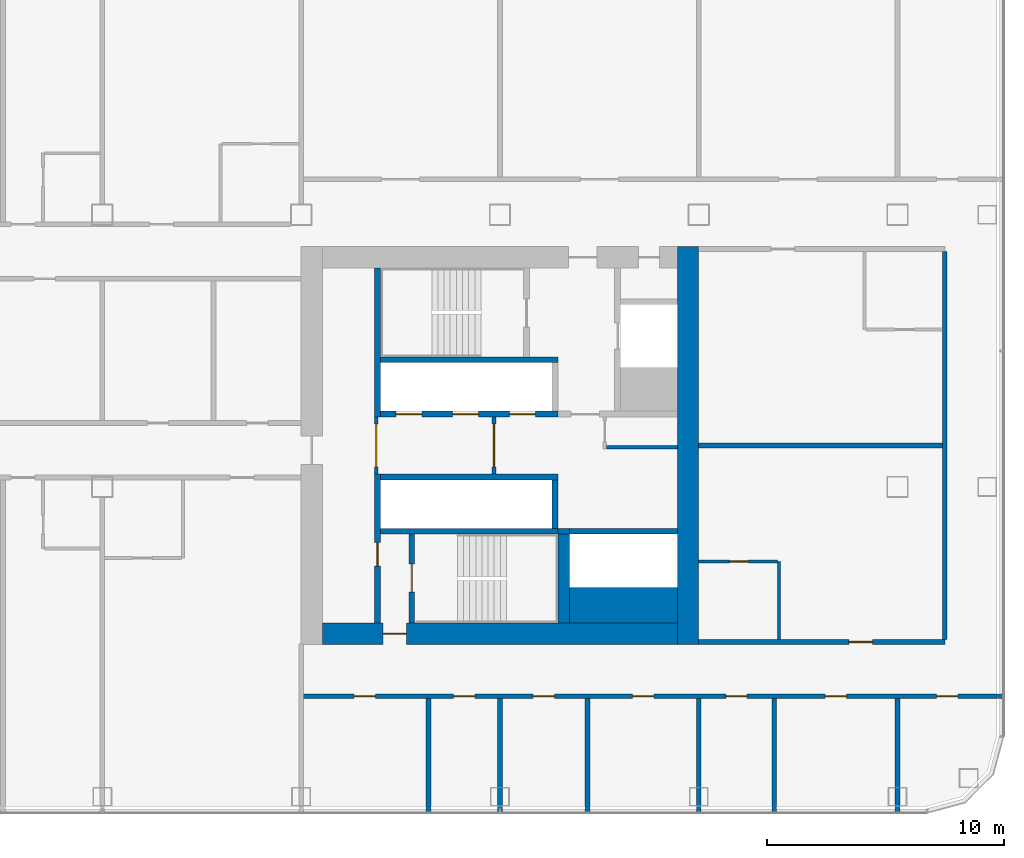
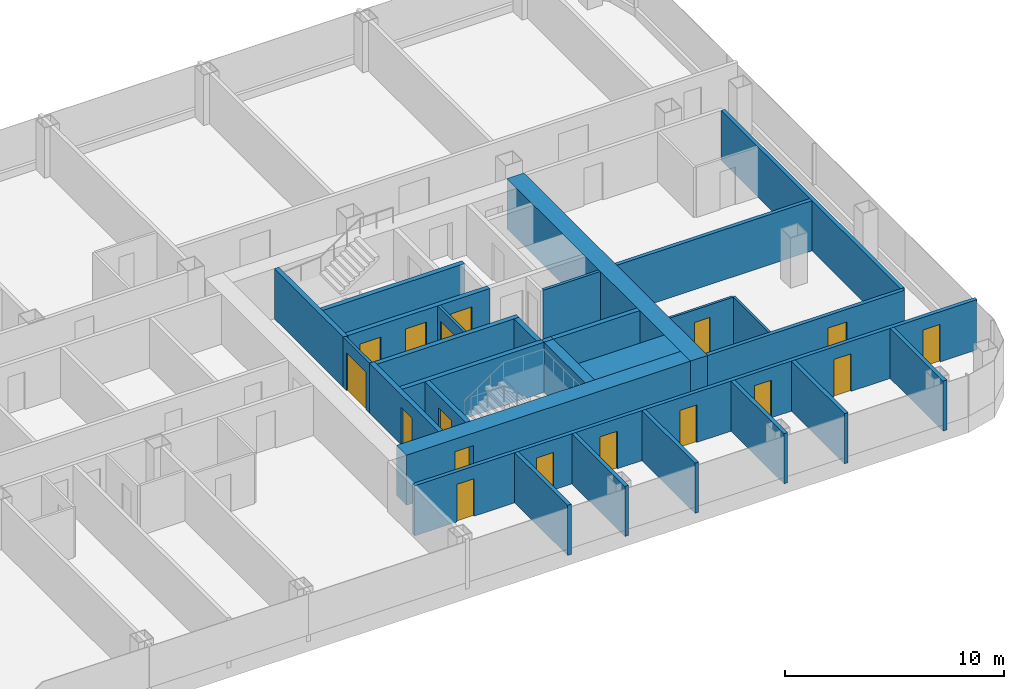
# One storey, part 19 of 29: 29 walls, 17 doors, 17 openings.
"""IFC4 building model written with IfcOpenShell, lengths in metres."""

from ifc_helpers import new_model, si_unit, direction, frame, frame_2d, origin, place, context, subcontext, project, spatial, rectangle, extrude, material, layer, layer_set, type_object, element, fill, save


model = new_model("IFC4")

# Units and contexts
model_context = context("Model", 3, precision=1e-05, world=origin(), true_north=direction((0.0, 1.0)))
body_context = subcontext(model_context, "Body", "Model", "MODEL_VIEW")
ifc_project = project(units=[si_unit("LENGTHUNIT", "METRE"), si_unit("AREAUNIT", "SQUARE_METRE"), si_unit("VOLUMEUNIT", "CUBIC_METRE"), si_unit("PLANEANGLEUNIT", "RADIAN"), si_unit("MASSUNIT", "GRAM", prefix="KILO")], contexts=[model_context])

# Site, building, storey
site_placement = place(None, origin())
site = spatial("IfcSite", under=ifc_project, at=site_placement, CompositionType="ELEMENT")
building_placement = place(site_placement, origin())
building = spatial("IfcBuilding", under=site, at=building_placement, Name="Hakoniwa Tower and Hamabe Station Hall", CompositionType="ELEMENT")
storey_placement = place(building_placement, frame((0.0, 0.0, 101.0)))
storey = spatial("IfcBuildingStorey", under=building, at=storey_placement, Name="L28", CompositionType="ELEMENT", Elevation=101.0)

# Wall, opening, door
ifc_material_1 = material(Name="Gypsum board partition", Category="gypsum")
ifc_layer_1 = layer(ifc_material_1, 0.125)
ifc_layer_set_1 = layer_set([ifc_layer_1], Name="Bathroom Partition 125")
wall_type_1 = type_object("IfcWallType", Name="Bathroom Partition 125", PredefinedType="PARTITIONING", material=ifc_layer_set_1)
wall_1_placement = place(storey_placement, frame((33.60009765625, -4.89990234375, 0.0), z_axis=(0.0, 0.0, 1.0), x_axis=(1.0, 0.0, 0.0)))
wall_1 = element("IfcWall", 1, at=wall_1_placement, inside=storey, type_object=wall_type_1, Name="GW-L28-006", PredefinedType="PARTITIONING", context=body_context, shape_type="SweptSolid", body=[
    extrude(rectangle(XDim=3.33740234375, YDim=0.125, at=frame_2d((1.668701171875, 0.0))), origin(), (0.0, 0.0, 1.0), 2.800048828125),
])
opening_1_placement = place(wall_1_placement, frame((1.300048828125, 0.0, 0.0)))
opening_1 = element("IfcOpeningElement", 2, at=opening_1_placement, cuts=wall_1, Name="Opening GD-G2D1-17", PredefinedType="OPENING", context=body_context, shape_type="SweptSolid", body=[
    extrude(rectangle(XDim=0.800048828125, YDim=2.10009765625, at=frame_2d((0.39990234375, 1.050048828125))), frame((0.0, 0.072509765625, 0.0), z_axis=(0.0, -1.0, 0.0), x_axis=(1.0, 0.0, 0.0)), (0.0, 0.0, 1.0), 0.14501953125),
])
ifc_material_2 = material(Name="Timber door leaf", Category="wood")
door_type_1 = type_object("IfcDoorType", Name="Bathroom Door 800", OperationType="SINGLE_SWING_LEFT", PredefinedType="DOOR", material=ifc_material_2)
door_1_placement = place(opening_1_placement, origin())
door_1 = element("IfcDoor", 3, at=door_1_placement, inside=storey, type_object=door_type_1, Name="Door GD-G2D1-17", OperationType="SINGLE_SWING_RIGHT", OverallHeight=2.10009765625, OverallWidth=0.800048828125, PredefinedType="DOOR", context=body_context, shape_type="SweptSolid", body=[
    extrude(rectangle(XDim=0.800048828125, YDim=2.10009765625, at=frame_2d((0.39990234375, 1.050048828125))), frame((0.0, 0.02490234375, 0.0), z_axis=(0.0, -1.0, 0.0), x_axis=(1.0, 0.0, 0.0)), (0.0, 0.0, 1.0), 0.050048828125),
])
fill(opening_1, door_1)

# Wall
wall_2_placement = place(storey_placement, frame((37.0, -8.199951171875, 0.0), z_axis=(0.0, 0.0, 1.0), x_axis=(0.0, 1.0, 0.0)))
element("IfcWall", 4, at=wall_2_placement, inside=storey, type_object=wall_type_1, Name="GW-L28-083", PredefinedType="PARTITIONING", context=body_context, shape_type="SweptSolid", body=[
    extrude(rectangle(XDim=3.300048828125, YDim=0.125, at=frame_2d((1.64990234375, 0.0))), origin(), (0.0, 0.0, 1.0), 2.800048828125),
])

# Wall, opening, door
ifc_material_3 = material(Name="Gypsum board partition")
ifc_layer_2 = layer(ifc_material_3, 0.14990234375)
ifc_layer_set_2 = layer_set([ifc_layer_2], Name="CORE PARTITION 150 EI 60")
wall_type_2 = type_object("IfcWallType", Name="CORE PARTITION 150 EI 60", PredefinedType="PARTITIONING", material=ifc_layer_set_2)
wall_3_placement = place(storey_placement, frame((19.97509765625, -1.199951171875, 0.0), z_axis=(0.0, 0.0, 1.0), x_axis=(0.0, 1.0, 0.0)))
wall_3 = element("IfcWall", 5, at=wall_3_placement, inside=storey, type_object=wall_type_2, Name="Core partition PL0 east", PredefinedType="PARTITIONING", context=body_context, shape_type="SweptSolid", body=[
    extrude(rectangle(XDim=2.39990234375, YDim=0.14990234375, at=frame_2d((1.199951171875, 0.0))), origin(), (0.0, 0.0, 1.0), 2.800048828125),
])
opening_2_placement = place(wall_3_placement, frame((0.300048828125, 0.0, 0.0)))
opening_2 = element("IfcOpeningElement", 6, at=opening_2_placement, cuts=wall_3, Name="Opening CD-E-LP0-18", PredefinedType="OPENING", context=body_context, shape_type="SweptSolid", body=[
    extrude(rectangle(XDim=1.800048828125, YDim=2.10009765625, at=frame_2d((0.89990234375, 1.050048828125))), frame((0.0, 0.0849609375, 0.0), z_axis=(0.0, -1.0, 0.0), x_axis=(1.0, 0.0, 0.0)), (0.0, 0.0, 1.0), 0.169921875),
])
ifc_material_4 = material(Name="Steel fire door", Category="steel")
door_type_2 = type_object("IfcDoorType", Name="CORE DOOR 1800 FD60", OperationType="DOUBLE_DOOR_SINGLE_SWING", PredefinedType="DOOR", material=ifc_material_4)
door_2_placement = place(opening_2_placement, origin())
door_2 = element("IfcDoor", 7, at=door_2_placement, inside=storey, type_object=door_type_2, Name="Lift lobby partition door", OperationType="DOUBLE_DOOR_SINGLE_SWING", OverallHeight=2.10009765625, OverallWidth=1.800048828125, PredefinedType="DOOR", context=body_context, shape_type="SweptSolid", body=[
    extrude(rectangle(XDim=1.800048828125, YDim=2.10009765625, at=frame_2d((0.89990234375, 1.050048828125))), frame((0.0, 0.02490234375, 0.0), z_axis=(0.0, -1.0, 0.0), x_axis=(1.0, 0.0, 0.0)), (0.0, 0.0, 1.0), 0.050048828125),
])
fill(opening_2, door_2)

wall_4_placement = place(storey_placement, frame((24.949951171875, -1.199951171875, 0.0), z_axis=(0.0, 0.0, 1.0), x_axis=(0.0, 1.0, 0.0)))
wall_4 = element("IfcWall", 8, at=wall_4_placement, inside=storey, type_object=wall_type_2, Name="Core partition PL1 east", PredefinedType="PARTITIONING", context=body_context, shape_type="SweptSolid", body=[
    extrude(rectangle(XDim=2.39990234375, YDim=0.14990234375, at=frame_2d((1.199951171875, 0.0))), origin(), (0.0, 0.0, 1.0), 2.800048828125),
])
opening_3_placement = place(wall_4_placement, frame((0.300048828125, 0.0, 0.0)))
opening_3 = element("IfcOpeningElement", 9, at=opening_3_placement, cuts=wall_4, Name="Opening CD-E-LP1-18", PredefinedType="OPENING", context=body_context, shape_type="SweptSolid", body=[
    extrude(rectangle(XDim=1.800048828125, YDim=2.10009765625, at=frame_2d((0.89990234375, 1.050048828125))), frame((0.0, 0.0849609375, 0.0), z_axis=(0.0, -1.0, 0.0), x_axis=(1.0, 0.0, 0.0)), (0.0, 0.0, 1.0), 0.169921875),
])
door_3_placement = place(opening_3_placement, origin())
door_3 = element("IfcDoor", 10, at=door_3_placement, inside=storey, type_object=door_type_2, Name="Lift lobby partition door", OperationType="DOUBLE_DOOR_SINGLE_SWING", OverallHeight=2.10009765625, OverallWidth=1.800048828125, PredefinedType="DOOR", context=body_context, shape_type="SweptSolid", body=[
    extrude(rectangle(XDim=1.800048828125, YDim=2.10009765625, at=frame_2d((0.89990234375, 1.050048828125))), frame((0.0, 0.02490234375, 0.0), z_axis=(0.0, -1.0, 0.0), x_axis=(1.0, 0.0, 0.0)), (0.0, 0.0, 1.0), 0.050048828125),
])
fill(opening_3, door_3)

# Walls
wall_5_placement = place(storey_placement, frame((29.699951171875, -0.074951171875, 0.0), z_axis=(0.0, 0.0, 1.0), x_axis=(1.0, 0.0, 0.0)))
element("IfcWall", 11, at=wall_5_placement, inside=storey, type_object=wall_type_2, Name="Core partition PS east", PredefinedType="PARTITIONING", context=body_context, shape_type="SweptSolid", body=[
    extrude(rectangle(XDim=3.0, YDim=0.14990234375, at=frame_2d((1.5, 0.0))), origin(), (0.0, 0.0, 1.0), 2.800048828125),
])
ifc_material_5 = material(Name="Concrete C72", Category="concrete")
ifc_layer_3 = layer(ifc_material_5, 0.89990234375)
ifc_layer_set_3 = layer_set([ifc_layer_3], Name="CORE WALL 900 C72")
wall_type_3 = type_object("IfcWallType", Name="CORE WALL 900 C72", PredefinedType="SHEAR", material=ifc_layer_set_3)
wall_6_placement = place(storey_placement, frame((33.14990234375, -8.39990234375, 0.0), z_axis=(0.0, 0.0, 1.0), x_axis=(0.0, 1.0, 0.0)))
element("IfcWall", 12, at=wall_6_placement, inside=storey, type_object=wall_type_3, Name="Core wall OUTER east", PredefinedType="SHEAR", context=body_context, shape_type="SweptSolid", body=[
    extrude(rectangle(XDim=16.7998046875, YDim=0.89990234375, at=frame_2d((8.39990234375, 0.0))), origin(), (0.0, 0.0, 1.0), 2.800048828125),
])

# Wall, opening, door
wall_7_placement = place(storey_placement, frame((17.699951171875, -7.949951171875, 0.0), z_axis=(0.0, 0.0, 1.0), x_axis=(1.0, 0.0, 0.0)))
wall_7 = element("IfcWall", 13, at=wall_7_placement, inside=storey, type_object=wall_type_3, Name="Core wall SOUTH east", PredefinedType="SHEAR", context=body_context, shape_type="SweptSolid", body=[
    extrude(rectangle(XDim=15.0, YDim=0.89990234375, at=frame_2d((7.5, 0.0))), origin(), (0.0, 0.0, 1.0), 2.800048828125),
])
opening_4_placement = place(wall_7_placement, frame((2.550048828125, 0.0, 0.0)))
opening_4 = element("IfcOpeningElement", 14, at=opening_4_placement, cuts=wall_7, Name="Opening CD-E-FS3-10", PredefinedType="OPENING", context=body_context, shape_type="SweptSolid", body=[
    extrude(rectangle(XDim=1.0, YDim=2.10009765625, at=frame_2d((0.5, 1.050048828125))), frame((0.0, 0.4599609375, 0.0), z_axis=(0.0, -1.0, 0.0), x_axis=(1.0, 0.0, 0.0)), (0.0, 0.0, 1.0), 0.919921875),
])
ifc_material_6 = material(Name="Steel fire door", Category="steel")
door_type_3 = type_object("IfcDoorType", Name="CORE DOOR 1000 FD60", OperationType="NOTDEFINED", PredefinedType="DOOR", material=ifc_material_6)
door_4_placement = place(opening_4_placement, origin())
door_4 = element("IfcDoor", 15, at=door_4_placement, inside=storey, type_object=door_type_3, Name="Stair vestibule door", OperationType="SINGLE_SWING_LEFT", OverallHeight=2.10009765625, OverallWidth=1.0, PredefinedType="DOOR", context=body_context, shape_type="SweptSolid", body=[
    extrude(rectangle(XDim=1.0, YDim=2.10009765625, at=frame_2d((0.5, 1.050048828125))), frame((0.0, 0.02490234375, 0.0), z_axis=(0.0, -1.0, 0.0), x_axis=(1.0, 0.0, 0.0)), (0.0, 0.0, 1.0), 0.050048828125),
])
fill(opening_4, door_4)

# Walls
ifc_material_7 = material(Name="Concrete C72", Category="concrete")
ifc_layer_4 = layer(ifc_material_7, 1.5)
ifc_layer_set_4 = layer_set([ifc_layer_4], Name="CORE WEB WALL 1500 C72")
wall_type_4 = type_object("IfcWallType", Name="CORE WEB WALL 1500 C72", PredefinedType="SHEAR", material=ifc_layer_set_4)
wall_8_placement = place(storey_placement, frame((28.14990234375, -6.75, 0.0), z_axis=(0.0, 0.0, 1.0), x_axis=(1.0, 0.0, 0.0)))
element("IfcWall", 16, at=wall_8_placement, inside=storey, type_object=wall_type_4, Name="Core wall SER east", PredefinedType="SHEAR", context=body_context, shape_type="SweptSolid", body=[
    extrude(rectangle(XDim=4.550048828125, YDim=1.5, at=frame_2d((2.27490234375, 0.0))), origin(), (0.0, 0.0, 1.0), 2.800048828125),
])
ifc_material_8 = material(Name="Concrete C72", Category="concrete")
ifc_layer_5 = layer(ifc_material_8, 0.25)
ifc_layer_set_5 = layer_set([ifc_layer_5], Name="CORE WEB WALL 250 C72")
wall_type_5 = type_object("IfcWallType", Name="CORE WEB WALL 250 C72", PredefinedType="SHEAR", material=ifc_layer_set_5)
wall_9_placement = place(storey_placement, frame((20.02490234375, 1.199951171875, 0.0), z_axis=(0.0, 0.0, 1.0), x_axis=(0.0, 1.0, 0.0)))
element("IfcWall", 17, at=wall_9_placement, inside=storey, type_object=wall_type_5, Name="Core wall W1N east", PredefinedType="SHEAR", context=body_context, shape_type="SweptSolid", body=[
    extrude(rectangle(XDim=6.300048828125, YDim=0.25, at=frame_2d((3.14990234375, 0.0))), origin(), (0.0, 0.0, 1.0), 2.800048828125),
])

# Wall, opening, door
wall_10_placement = place(storey_placement, frame((20.02490234375, -7.5, 0.0), z_axis=(0.0, 0.0, 1.0), x_axis=(0.0, 1.0, 0.0)))
wall_10 = element("IfcWall", 18, at=wall_10_placement, inside=storey, type_object=wall_type_5, Name="Core wall W1S east", PredefinedType="SHEAR", context=body_context, shape_type="SweptSolid", body=[
    extrude(rectangle(XDim=6.300048828125, YDim=0.25, at=frame_2d((3.14990234375, 0.0))), origin(), (0.0, 0.0, 1.0), 2.800048828125),
])
opening_5_placement = place(wall_10_placement, frame((2.39990234375, 0.0, 0.0)))
opening_5 = element("IfcOpeningElement", 19, at=opening_5_placement, cuts=wall_10, Name="Opening CD-E-VS-10", PredefinedType="OPENING", context=body_context, shape_type="SweptSolid", body=[
    extrude(rectangle(XDim=1.0, YDim=2.10009765625, at=frame_2d((0.5, 1.050048828125))), frame((0.0, 0.135009765625, 0.0), z_axis=(0.0, -1.0, 0.0), x_axis=(1.0, 0.0, 0.0)), (0.0, 0.0, 1.0), 0.27001953125),
])
door_5_placement = place(opening_5_placement, origin())
door_5 = element("IfcDoor", 20, at=door_5_placement, inside=storey, type_object=door_type_3, Name="Stair vestibule door", OperationType="SINGLE_SWING_RIGHT", OverallHeight=2.10009765625, OverallWidth=1.0, PredefinedType="DOOR", context=body_context, shape_type="SweptSolid", body=[
    extrude(rectangle(XDim=1.0, YDim=2.10009765625, at=frame_2d((0.5, 1.050048828125))), frame((0.0, 0.02490234375, 0.0), z_axis=(0.0, -1.0, 0.0), x_axis=(1.0, 0.0, 0.0)), (0.0, 0.0, 1.0), 0.050048828125),
])
fill(opening_5, door_5)

# Wall, openings, doors
wall_11_placement = place(storey_placement, frame((20.14990234375, 1.324951171875, 0.0), z_axis=(0.0, 0.0, 1.0), x_axis=(1.0, 0.0, 0.0)))
wall_11 = element("IfcWall", 21, at=wall_11_placement, inside=storey, type_object=wall_type_5, Name="Core wall NF east", PredefinedType="SHEAR", context=body_context, shape_type="SweptSolid", body=[
    extrude(rectangle(XDim=7.5, YDim=0.25, at=frame_2d((3.75, 0.0))), origin(), (0.0, 0.0, 1.0), 2.800048828125),
])
opening_6_placement = place(wall_11_placement, frame((0.64990234375, 0.0, 0.0)))
opening_6 = element("IfcOpeningElement", 22, at=opening_6_placement, cuts=wall_11, Name="Opening LD-LR4", PredefinedType="OPENING", context=body_context, shape_type="SweptSolid", body=[
    extrude(rectangle(XDim=1.10009765625, YDim=2.10009765625, at=frame_2d((0.550048828125, 1.050048828125))), frame((0.0, 0.135009765625, 0.0), z_axis=(0.0, -1.0, 0.0), x_axis=(1.0, 0.0, 0.0)), (0.0, 0.0, 1.0), 0.27001953125),
])
opening_7_placement = place(wall_11_placement, frame((3.050048828125, 0.0, 0.0)))
opening_7 = element("IfcOpeningElement", 23, at=opening_7_placement, cuts=wall_11, Name="Opening LD-LR5", PredefinedType="OPENING", context=body_context, shape_type="SweptSolid", body=[
    extrude(rectangle(XDim=1.10009765625, YDim=2.10009765625, at=frame_2d((0.550048828125, 1.050048828125))), frame((0.0, 0.135009765625, 0.0), z_axis=(0.0, -1.0, 0.0), x_axis=(1.0, 0.0, 0.0)), (0.0, 0.0, 1.0), 0.27001953125),
])
opening_8_placement = place(wall_11_placement, frame((5.449951171875, 0.0, 0.0)))
opening_8 = element("IfcOpeningElement", 24, at=opening_8_placement, cuts=wall_11, Name="Opening LD-LR6", PredefinedType="OPENING", context=body_context, shape_type="SweptSolid", body=[
    extrude(rectangle(XDim=1.10009765625, YDim=2.10009765625, at=frame_2d((0.550048828125, 1.050048828125))), frame((0.0, 0.135009765625, 0.0), z_axis=(0.0, -1.0, 0.0), x_axis=(1.0, 0.0, 0.0)), (0.0, 0.0, 1.0), 0.27001953125),
])
ifc_material_9 = material(Name="Stainless steel SUS304", Category="steel")
door_type_4 = type_object("IfcDoorType", Name="LIFT LANDING DOOR 1100 FD60", OperationType="DOUBLE_DOOR_SLIDING", PredefinedType="DOOR", material=ifc_material_9)
door_6_placement = place(opening_6_placement, origin())
door_6 = element("IfcDoor", 25, at=door_6_placement, inside=storey, type_object=door_type_4, Name="Lift landing door LR4 L28", OperationType="DOUBLE_DOOR_SLIDING", OverallHeight=2.10009765625, OverallWidth=1.10009765625, PredefinedType="DOOR", context=body_context, shape_type="SweptSolid", body=[
    extrude(rectangle(XDim=1.10009765625, YDim=2.10009765625, at=frame_2d((0.550048828125, 1.050048828125))), frame((0.0, 0.02490234375, 0.0), z_axis=(0.0, -1.0, 0.0), x_axis=(1.0, 0.0, 0.0)), (0.0, 0.0, 1.0), 0.050048828125),
])
fill(opening_6, door_6)
door_7_placement = place(opening_7_placement, origin())
door_7 = element("IfcDoor", 26, at=door_7_placement, inside=storey, type_object=door_type_4, Name="Lift landing door LR5 L28", OperationType="DOUBLE_DOOR_SLIDING", OverallHeight=2.10009765625, OverallWidth=1.10009765625, PredefinedType="DOOR", context=body_context, shape_type="SweptSolid", body=[
    extrude(rectangle(XDim=1.10009765625, YDim=2.10009765625, at=frame_2d((0.550048828125, 1.050048828125))), frame((0.0, 0.02490234375, 0.0), z_axis=(0.0, -1.0, 0.0), x_axis=(1.0, 0.0, 0.0)), (0.0, 0.0, 1.0), 0.050048828125),
])
fill(opening_7, door_7)
door_8_placement = place(opening_8_placement, origin())
door_8 = element("IfcDoor", 27, at=door_8_placement, inside=storey, type_object=door_type_4, Name="Lift landing door LR6 L28", OperationType="DOUBLE_DOOR_SLIDING", OverallHeight=2.10009765625, OverallWidth=1.10009765625, PredefinedType="DOOR", context=body_context, shape_type="SweptSolid", body=[
    extrude(rectangle(XDim=1.10009765625, YDim=2.10009765625, at=frame_2d((0.550048828125, 1.050048828125))), frame((0.0, 0.02490234375, 0.0), z_axis=(0.0, -1.0, 0.0), x_axis=(1.0, 0.0, 0.0)), (0.0, 0.0, 1.0), 0.050048828125),
])
fill(opening_8, door_8)

# Walls
for number, where, z_axis, x_axis, name in (
    (28, (20.14990234375, 3.625, 0.0), (0.0, 0.0, 1.0), (1.0, 0.0, 0.0), "Core wall NR east"),
    (29, (20.14990234375, -1.324951171875, 0.0), (0.0, 0.0, 1.0), (1.0, 0.0, 0.0), "Core wall SF east"),
):
    element("IfcWall", number, at=place(storey_placement, frame(where, z_axis=z_axis, x_axis=x_axis)), inside=storey, type_object=wall_type_5, Name=name, PredefinedType="SHEAR", context=body_context, shape_type="SweptSolid", body=[
        extrude(rectangle(XDim=7.5, YDim=0.25, at=frame_2d((3.75, 0.0))), origin(), (0.0, 0.0, 1.0), 2.800048828125),
    ])
wall_12_placement = place(storey_placement, frame((27.52490234375, -3.5, 0.0), z_axis=(0.0, 0.0, 1.0), x_axis=(0.0, 1.0, 0.0)))
element("IfcWall", 30, at=wall_12_placement, inside=storey, type_object=wall_type_5, Name="Core wall SE east", PredefinedType="SHEAR", context=body_context, shape_type="SweptSolid", body=[
    extrude(rectangle(XDim=2.050048828125, YDim=0.25, at=frame_2d((1.02490234375, 0.0))), origin(), (0.0, 0.0, 1.0), 2.800048828125),
])
wall_13_placement = place(storey_placement, frame((20.14990234375, -3.625, 0.0), z_axis=(0.0, 0.0, 1.0), x_axis=(1.0, 0.0, 0.0)))
element("IfcWall", 31, at=wall_13_placement, inside=storey, type_object=wall_type_5, Name="Core wall SR east", PredefinedType="SHEAR", context=body_context, shape_type="SweptSolid", body=[
    extrude(rectangle(XDim=7.5, YDim=0.25, at=frame_2d((3.75, 0.0))), origin(), (0.0, 0.0, 1.0), 2.800048828125),
])

# Wall, opening, door
wall_14_placement = place(storey_placement, frame((21.47509765625, -7.5, 0.0), z_axis=(0.0, 0.0, 1.0), x_axis=(0.0, 1.0, 0.0)))
wall_14 = element("IfcWall", 32, at=wall_14_placement, inside=storey, type_object=wall_type_5, Name="Core wall VE east", PredefinedType="SHEAR", context=body_context, shape_type="SweptSolid", body=[
    extrude(rectangle(XDim=3.75, YDim=0.25, at=frame_2d((1.875, 0.0))), origin(), (0.0, 0.0, 1.0), 2.800048828125),
])
opening_9_placement = place(wall_14_placement, frame((1.300048828125, 0.0, 0.0)))
opening_9 = element("IfcOpeningElement", 33, at=opening_9_placement, cuts=wall_14, Name="Opening CD-E-SS-12", PredefinedType="OPENING", context=body_context, shape_type="SweptSolid", body=[
    extrude(rectangle(XDim=1.199951171875, YDim=2.10009765625, at=frame_2d((0.60009765625, 1.050048828125))), frame((0.0, 0.135009765625, 0.0), z_axis=(0.0, -1.0, 0.0), x_axis=(1.0, 0.0, 0.0)), (0.0, 0.0, 1.0), 0.27001953125),
])
ifc_material_10 = material(Name="Steel fire door", Category="steel")
door_type_5 = type_object("IfcDoorType", Name="CORE DOOR 1200 FD60", OperationType="DOUBLE_DOOR_SINGLE_SWING", PredefinedType="DOOR", material=ifc_material_10)
door_9_placement = place(opening_9_placement, origin())
door_9 = element("IfcDoor", 34, at=door_9_placement, inside=storey, type_object=door_type_5, Name="Escape stair door", OperationType="DOUBLE_DOOR_SINGLE_SWING", OverallHeight=2.10009765625, OverallWidth=1.199951171875, PredefinedType="DOOR", context=body_context, shape_type="SweptSolid", body=[
    extrude(rectangle(XDim=1.199951171875, YDim=2.10009765625, at=frame_2d((0.60009765625, 1.050048828125))), frame((0.0, 0.02490234375, 0.0), z_axis=(0.0, -1.0, 0.0), x_axis=(1.0, 0.0, 0.0)), (0.0, 0.0, 1.0), 0.050048828125),
])
fill(opening_9, door_9)

# Walls
wall_15_placement = place(storey_placement, frame((28.14990234375, -3.625, 0.0), z_axis=(0.0, 0.0, 1.0), x_axis=(1.0, 0.0, 0.0)))
element("IfcWall", 35, at=wall_15_placement, inside=storey, type_object=wall_type_5, Name="Core wall SEF east", PredefinedType="SHEAR", context=body_context, shape_type="SweptSolid", body=[
    extrude(rectangle(XDim=4.550048828125, YDim=0.25, at=frame_2d((2.27490234375, 0.0))), origin(), (0.0, 0.0, 1.0), 2.800048828125),
])
wall_16_placement = place(storey_placement, frame((27.64990234375, -3.625, 0.0), z_axis=(0.0, 0.0, 1.0), x_axis=(1.0, 0.0, 0.0)))
element("IfcWall", 36, at=wall_16_placement, inside=storey, type_object=wall_type_5, Name="Core wall SRK east", PredefinedType="SHEAR", context=body_context, shape_type="SweptSolid", body=[
    extrude(rectangle(XDim=0.5, YDim=0.25, at=frame_2d((0.25, 0.0))), origin(), (0.0, 0.0, 1.0), 2.800048828125),
])
ifc_material_11 = material(Name="Concrete C72", Category="concrete")
ifc_layer_6 = layer(ifc_material_11, 0.5)
ifc_layer_set_6 = layer_set([ifc_layer_6], Name="CORE WEB WALL 500 C72")
wall_type_6 = type_object("IfcWallType", Name="CORE WEB WALL 500 C72", PredefinedType="SHEAR", material=ifc_layer_set_6)
wall_17_placement = place(storey_placement, frame((27.89990234375, -7.5, 0.0), z_axis=(0.0, 0.0, 1.0), x_axis=(0.0, 1.0, 0.0)))
element("IfcWall", 37, at=wall_17_placement, inside=storey, type_object=wall_type_6, Name="Core wall SSE east", PredefinedType="SHEAR", context=body_context, shape_type="SweptSolid", body=[
    extrude(rectangle(XDim=3.75, YDim=0.5, at=frame_2d((1.875, 0.0))), origin(), (0.0, 0.0, 1.0), 2.800048828125),
])

# Wall, openings, doors
ifc_material_12 = material(Name="Fire-rated gypsum board partition", Category="gypsum")
ifc_layer_7 = layer(ifc_material_12, 0.199951171875)
ifc_layer_set_7 = layer_set([ifc_layer_7], Name="Corridor Wall 200")
wall_type_7 = type_object("IfcWallType", Name="Corridor Wall 200", PredefinedType="PARTITIONING", material=ifc_layer_set_7)
wall_18_placement = place(storey_placement, frame((16.800048828125, -10.60009765625, 0.0), z_axis=(0.0, 0.0, 1.0), x_axis=(1.0, 0.0, 0.0)))
wall_18 = element("IfcWall", 38, at=wall_18_placement, inside=storey, type_object=wall_type_7, Name="GW-L28-002", PredefinedType="PARTITIONING", context=body_context, shape_type="SweptSolid", body=[
    extrude(rectangle(XDim=29.699951171875, YDim=0.199951171875, at=frame_2d((14.85009765625, 0.0))), origin(), (0.0, 0.0, 1.0), 2.800048828125),
])
opening_10_placement = place(wall_18_placement, frame((2.239990234375, 0.0, 0.0)))
opening_10 = element("IfcOpeningElement", 39, at=opening_10_placement, cuts=wall_18, Name="Opening GD-G2D1-07", PredefinedType="OPENING", context=body_context, shape_type="SweptSolid", body=[
    extrude(rectangle(XDim=0.89990234375, YDim=2.10009765625, at=frame_2d((0.449951171875, 1.050048828125))), frame((0.0, 0.10986328125, 0.0), z_axis=(0.0, -1.0, 0.0), x_axis=(1.0, 0.0, 0.0)), (0.0, 0.0, 1.0), 0.219970703125),
])
opening_11_placement = place(wall_18_placement, frame((6.43994140625, 0.0, 0.0)))
opening_11 = element("IfcOpeningElement", 40, at=opening_11_placement, cuts=wall_18, Name="Opening GD-G2D1-08", PredefinedType="OPENING", context=body_context, shape_type="SweptSolid", body=[
    extrude(rectangle(XDim=0.89990234375, YDim=2.10009765625, at=frame_2d((0.449951171875, 1.050048828125))), frame((0.0, 0.10986328125, 0.0), z_axis=(0.0, -1.0, 0.0), x_axis=(1.0, 0.0, 0.0)), (0.0, 0.0, 1.0), 0.219970703125),
])
opening_12_placement = place(wall_18_placement, frame((9.800048828125, 0.0, 0.0)))
opening_12 = element("IfcOpeningElement", 41, at=opening_12_placement, cuts=wall_18, Name="Opening GD-G2D1-09", PredefinedType="OPENING", context=body_context, shape_type="SweptSolid", body=[
    extrude(rectangle(XDim=0.89990234375, YDim=2.10009765625, at=frame_2d((0.449951171875, 1.050048828125))), frame((0.0, 0.10986328125, 0.0), z_axis=(0.0, -1.0, 0.0), x_axis=(1.0, 0.0, 0.0)), (0.0, 0.0, 1.0), 0.219970703125),
])
opening_13_placement = place(wall_18_placement, frame((14.0, 0.0, 0.0)))
opening_13 = element("IfcOpeningElement", 42, at=opening_13_placement, cuts=wall_18, Name="Opening GD-G2D1-10", PredefinedType="OPENING", context=body_context, shape_type="SweptSolid", body=[
    extrude(rectangle(XDim=0.89990234375, YDim=2.10009765625, at=frame_2d((0.449951171875, 1.050048828125))), frame((0.0, 0.10986328125, 0.0), z_axis=(0.0, -1.0, 0.0), x_axis=(1.0, 0.0, 0.0)), (0.0, 0.0, 1.0), 0.219970703125),
])
opening_14_placement = place(wall_18_placement, frame((17.945068359375, 0.0, 0.0)))
opening_14 = element("IfcOpeningElement", 43, at=opening_14_placement, cuts=wall_18, Name="Opening GD-G2D1-11", PredefinedType="OPENING", context=body_context, shape_type="SweptSolid", body=[
    extrude(rectangle(XDim=0.89990234375, YDim=2.10009765625, at=frame_2d((0.449951171875, 1.050048828125))), frame((0.0, 0.10986328125, 0.0), z_axis=(0.0, -1.0, 0.0), x_axis=(1.0, 0.0, 0.0)), (0.0, 0.0, 1.0), 0.219970703125),
])
opening_15_placement = place(wall_18_placement, frame((22.14501953125, 0.0, 0.0)))
opening_15 = element("IfcOpeningElement", 44, at=opening_15_placement, cuts=wall_18, Name="Opening GD-G2D1-12", PredefinedType="OPENING", context=body_context, shape_type="SweptSolid", body=[
    extrude(rectangle(XDim=0.89990234375, YDim=2.10009765625, at=frame_2d((0.449951171875, 1.050048828125))), frame((0.0, 0.10986328125, 0.0), z_axis=(0.0, -1.0, 0.0), x_axis=(1.0, 0.0, 0.0)), (0.0, 0.0, 1.0), 0.219970703125),
])
opening_16_placement = place(wall_18_placement, frame((26.85009765625, 0.0, 0.0)))
opening_16 = element("IfcOpeningElement", 45, at=opening_16_placement, cuts=wall_18, Name="Opening GD-G2D1-13", PredefinedType="OPENING", context=body_context, shape_type="SweptSolid", body=[
    extrude(rectangle(XDim=0.89990234375, YDim=2.10009765625, at=frame_2d((0.449951171875, 1.050048828125))), frame((0.0, 0.10986328125, 0.0), z_axis=(0.0, -1.0, 0.0), x_axis=(1.0, 0.0, 0.0)), (0.0, 0.0, 1.0), 0.219970703125),
])
ifc_material_13 = material(Name="Timber door leaf", Category="wood")
door_type_6 = type_object("IfcDoorType", Name="Service Door 900", OperationType="SINGLE_SWING_LEFT", PredefinedType="DOOR", material=ifc_material_13)
door_10_placement = place(opening_10_placement, origin())
door_10 = element("IfcDoor", 46, at=door_10_placement, inside=storey, type_object=door_type_6, Name="Door GD-G2D1-07", OperationType="SINGLE_SWING_RIGHT", OverallHeight=2.10009765625, OverallWidth=0.89990234375, PredefinedType="DOOR", context=body_context, shape_type="SweptSolid", body=[
    extrude(rectangle(XDim=0.89990234375, YDim=2.10009765625, at=frame_2d((0.449951171875, 1.050048828125))), frame((0.0, 0.02490234375, 0.0), z_axis=(0.0, -1.0, 0.0), x_axis=(1.0, 0.0, 0.0)), (0.0, 0.0, 1.0), 0.050048828125),
])
fill(opening_10, door_10)
door_11_placement = place(opening_11_placement, origin())
door_11 = element("IfcDoor", 47, at=door_11_placement, inside=storey, type_object=door_type_6, Name="Door GD-G2D1-08", OperationType="SINGLE_SWING_LEFT", OverallHeight=2.10009765625, OverallWidth=0.89990234375, PredefinedType="DOOR", context=body_context, shape_type="SweptSolid", body=[
    extrude(rectangle(XDim=0.89990234375, YDim=2.10009765625, at=frame_2d((0.449951171875, 1.050048828125))), frame((0.0, 0.02490234375, 0.0), z_axis=(0.0, -1.0, 0.0), x_axis=(1.0, 0.0, 0.0)), (0.0, 0.0, 1.0), 0.050048828125),
])
fill(opening_11, door_11)
door_12_placement = place(opening_12_placement, origin())
door_12 = element("IfcDoor", 48, at=door_12_placement, inside=storey, type_object=door_type_6, Name="Door GD-G2D1-09", OperationType="SINGLE_SWING_RIGHT", OverallHeight=2.10009765625, OverallWidth=0.89990234375, PredefinedType="DOOR", context=body_context, shape_type="SweptSolid", body=[
    extrude(rectangle(XDim=0.89990234375, YDim=2.10009765625, at=frame_2d((0.449951171875, 1.050048828125))), frame((0.0, 0.02490234375, 0.0), z_axis=(0.0, -1.0, 0.0), x_axis=(1.0, 0.0, 0.0)), (0.0, 0.0, 1.0), 0.050048828125),
])
fill(opening_12, door_12)
door_13_placement = place(opening_13_placement, origin())
door_13 = element("IfcDoor", 49, at=door_13_placement, inside=storey, type_object=door_type_6, Name="Door GD-G2D1-10", OperationType="SINGLE_SWING_RIGHT", OverallHeight=2.10009765625, OverallWidth=0.89990234375, PredefinedType="DOOR", context=body_context, shape_type="SweptSolid", body=[
    extrude(rectangle(XDim=0.89990234375, YDim=2.10009765625, at=frame_2d((0.449951171875, 1.050048828125))), frame((0.0, 0.02490234375, 0.0), z_axis=(0.0, -1.0, 0.0), x_axis=(1.0, 0.0, 0.0)), (0.0, 0.0, 1.0), 0.050048828125),
])
fill(opening_13, door_13)
door_14_placement = place(opening_14_placement, origin())
door_14 = element("IfcDoor", 50, at=door_14_placement, inside=storey, type_object=door_type_6, Name="Door GD-G2D1-11", OperationType="SINGLE_SWING_LEFT", OverallHeight=2.10009765625, OverallWidth=0.89990234375, PredefinedType="DOOR", context=body_context, shape_type="SweptSolid", body=[
    extrude(rectangle(XDim=0.89990234375, YDim=2.10009765625, at=frame_2d((0.449951171875, 1.050048828125))), frame((0.0, 0.02490234375, 0.0), z_axis=(0.0, -1.0, 0.0), x_axis=(1.0, 0.0, 0.0)), (0.0, 0.0, 1.0), 0.050048828125),
])
fill(opening_14, door_14)
door_15_placement = place(opening_15_placement, origin())
door_15 = element("IfcDoor", 51, at=door_15_placement, inside=storey, type_object=door_type_6, Name="Door GD-G2D1-12", OperationType="SINGLE_SWING_RIGHT", OverallHeight=2.10009765625, OverallWidth=0.89990234375, PredefinedType="DOOR", context=body_context, shape_type="SweptSolid", body=[
    extrude(rectangle(XDim=0.89990234375, YDim=2.10009765625, at=frame_2d((0.449951171875, 1.050048828125))), frame((0.0, 0.02490234375, 0.0), z_axis=(0.0, -1.0, 0.0), x_axis=(1.0, 0.0, 0.0)), (0.0, 0.0, 1.0), 0.050048828125),
])
fill(opening_15, door_15)
door_16_placement = place(opening_16_placement, origin())
door_16 = element("IfcDoor", 52, at=door_16_placement, inside=storey, type_object=door_type_6, Name="Door GD-G2D1-13", OperationType="SINGLE_SWING_LEFT", OverallHeight=2.10009765625, OverallWidth=0.89990234375, PredefinedType="DOOR", context=body_context, shape_type="SweptSolid", body=[
    extrude(rectangle(XDim=0.89990234375, YDim=2.10009765625, at=frame_2d((0.449951171875, 1.050048828125))), frame((0.0, 0.02490234375, 0.0), z_axis=(0.0, -1.0, 0.0), x_axis=(1.0, 0.0, 0.0)), (0.0, 0.0, 1.0), 0.050048828125),
])
fill(opening_16, door_16)

# Wall, opening, door
wall_19_placement = place(storey_placement, frame((33.60009765625, -8.300048828125, 0.0), z_axis=(0.0, 0.0, 1.0), x_axis=(1.0, 0.0, 0.0)))
wall_19 = element("IfcWall", 53, at=wall_19_placement, inside=storey, type_object=wall_type_7, Name="GW-L28-004", PredefinedType="PARTITIONING", context=body_context, shape_type="SweptSolid", body=[
    extrude(rectangle(XDim=10.39990234375, YDim=0.199951171875, at=frame_2d((5.199951171875, 0.0))), origin(), (0.0, 0.0, 1.0), 2.800048828125),
])
opening_17_placement = place(wall_19_placement, frame((6.35009765625, 0.0, 0.0)))
opening_17 = element("IfcOpeningElement", 54, at=opening_17_placement, cuts=wall_19, Name="Opening GD-G2D1-15", PredefinedType="OPENING", context=body_context, shape_type="SweptSolid", body=[
    extrude(rectangle(XDim=1.0, YDim=2.10009765625, at=frame_2d((0.5, 1.050048828125))), frame((0.0, 0.10986328125, 0.0), z_axis=(0.0, -1.0, 0.0), x_axis=(1.0, 0.0, 0.0)), (0.0, 0.0, 1.0), 0.219970703125),
])
ifc_material_14 = material(Name="Timber door leaf", Category="wood")
door_type_7 = type_object("IfcDoorType", Name="Guest Entrance Door 1000", OperationType="SINGLE_SWING_LEFT", PredefinedType="DOOR", material=ifc_material_14)
door_17_placement = place(opening_17_placement, origin())
door_17 = element("IfcDoor", 55, at=door_17_placement, inside=storey, type_object=door_type_7, Name="Door GD-G2D1-15", OperationType="SINGLE_SWING_RIGHT", OverallHeight=2.10009765625, OverallWidth=1.0, PredefinedType="DOOR", context=body_context, shape_type="SweptSolid", body=[
    extrude(rectangle(XDim=1.0, YDim=2.10009765625, at=frame_2d((0.5, 1.050048828125))), frame((0.0, 0.02490234375, 0.0), z_axis=(0.0, -1.0, 0.0), x_axis=(1.0, 0.0, 0.0)), (0.0, 0.0, 1.0), 0.050048828125),
])
fill(opening_17, door_17)

# Walls
ifc_material_15 = material(Name="Fire-rated gypsum board partition", Category="gypsum")
ifc_layer_8 = layer(ifc_material_15, 0.199951171875)
ifc_layer_set_8 = layer_set([ifc_layer_8], Name="Party Wall 200")
wall_type_8 = type_object("IfcWallType", Name="Party Wall 200", PredefinedType="PARTITIONING", material=ifc_layer_set_8)
wall_20_placement = place(storey_placement, frame((33.60009765625, 0.0, 0.0), z_axis=(0.0, 0.0, 1.0), x_axis=(1.0, 0.0, 0.0)))
element("IfcWall", 56, at=wall_20_placement, inside=storey, type_object=wall_type_8, Name="GW-L28-014", PredefinedType="PARTITIONING", context=body_context, shape_type="SweptSolid", body=[
    extrude(rectangle(XDim=10.2998046875, YDim=0.199951171875, at=frame_2d((5.14990234375, 0.0))), origin(), (0.0, 0.0, 1.0), 2.800048828125),
])
for number, where, z_axis, x_axis, name in (
    (57, (22.179931640625, -15.550048828125, 0.0), (0.0, 0.0, 1.0), (0.0, 1.0, 0.0), "GW-L28-076"),
    (58, (25.199951171875, -15.550048828125, 0.0), (0.0, 0.0, 1.0), (0.0, 1.0, 0.0), "GW-L28-077"),
    (59, (28.89990234375, -15.550048828125, 0.0), (0.0, 0.0, 1.0), (0.0, 1.0, 0.0), "GW-L28-079"),
    (60, (33.60009765625, -15.550048828125, 0.0), (0.0, 0.0, 1.0), (0.0, 1.0, 0.0), "GW-L28-080"),
    (61, (36.7900390625, -15.550048828125, 0.0), (0.0, 0.0, 1.0), (0.0, 1.0, 0.0), "GW-L28-082"),
    (62, (42.0, -15.550048828125, 0.0), (0.0, 0.0, 1.0), (0.0, 1.0, 0.0), "GW-L28-085"),
):
    element("IfcWall", number, at=place(storey_placement, frame(where, z_axis=z_axis, x_axis=x_axis)), inside=storey, type_object=wall_type_8, Name=name, PredefinedType="PARTITIONING", context=body_context, shape_type="SweptSolid", body=[
        extrude(rectangle(XDim=4.85009765625, YDim=0.199951171875, at=frame_2d((2.425048828125, 0.0))), origin(), (0.0, 0.0, 1.0), 2.800048828125),
    ])
wall_21_placement = place(storey_placement, frame((44.0, -8.199951171875, 0.0), z_axis=(0.0, 0.0, 1.0), x_axis=(0.0, 1.0, 0.0)))
element("IfcWall", 63, at=wall_21_placement, inside=storey, type_object=wall_type_8, Name="GW-L28-087", PredefinedType="PARTITIONING", context=body_context, shape_type="SweptSolid", body=[
    extrude(rectangle(XDim=16.39990234375, YDim=0.199951171875, at=frame_2d((8.199951171875, 0.0))), origin(), (0.0, 0.0, 1.0), 2.800048828125),
])

save(model, "model.ifc")
